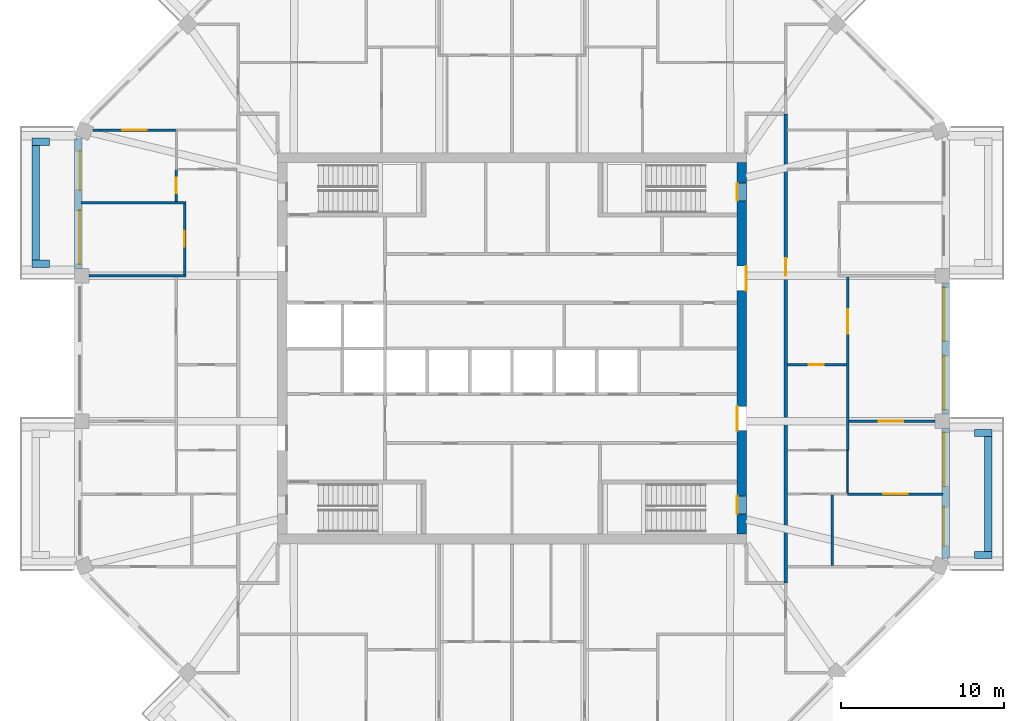
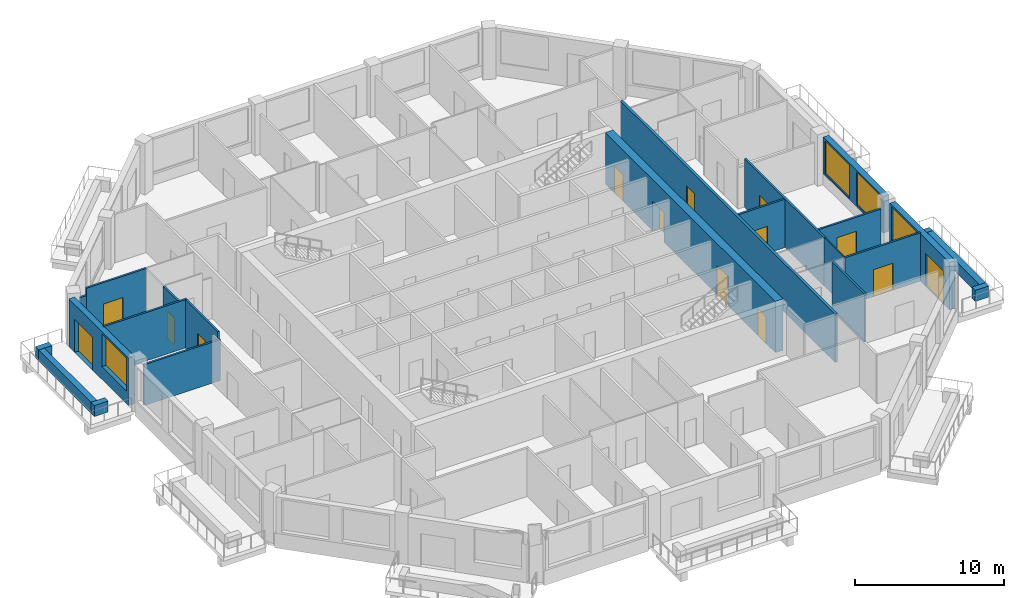
# One storey, part 6 of 12: 23 walls, 14 doors, 4 windows, 18 openings.
"""IFC4 building model written with IfcOpenShell, lengths in metres."""

from ifc_helpers import new_model, si_unit, direction, frame, frame_2d, origin, place, context, subcontext, project, spatial, rectangle, extrude, material, layer, layer_set, type_object, element, fill, save


model = new_model("IFC4")

# Units and contexts
model_context = context("Model", 3, precision=1e-05, world=origin(), true_north=direction((0.0, 1.0)))
body_context = subcontext(model_context, "Body", "Model", "MODEL_VIEW")
ifc_project = project(units=[si_unit("LENGTHUNIT", "METRE"), si_unit("AREAUNIT", "SQUARE_METRE"), si_unit("VOLUMEUNIT", "CUBIC_METRE"), si_unit("PLANEANGLEUNIT", "RADIAN"), si_unit("MASSUNIT", "GRAM", prefix="KILO")], contexts=[model_context])

# Site, building, storey
site_placement = place(None, origin())
site = spatial("IfcSite", under=ifc_project, at=site_placement, CompositionType="ELEMENT")
building_placement = place(site_placement, origin())
building = spatial("IfcBuilding", under=site, at=building_placement, Name="Msitu Wima Residences", CompositionType="ELEMENT")
storey_placement = place(building_placement, frame((0.0, 0.0, 239.10009765625)))
storey = spatial("IfcBuildingStorey", under=building, at=storey_placement, Name="L55", CompositionType="ELEMENT", Elevation=239.10009765625)

# Walls
ifc_material_1 = material(Name="Facing brick")
ifc_layer_1 = layer(ifc_material_1, 0.06494140625, Name="Facing brick")
ifc_material_2 = material(Name="Concrete C40/50", Category="concrete")
ifc_layer_2 = layer(ifc_material_2, 0.156005859375, Name="Concrete C40/50")
ifc_material_3 = material(Name="Waterproofing membrane")
ifc_layer_3 = layer(ifc_material_3, 0.00390625, Name="Waterproofing membrane")
ifc_material_4 = material(Name="Planting soil and planting")
ifc_layer_4 = layer(ifc_material_4, 0.22509765625, Name="Planting soil and planting")
ifc_layer_set_1 = layer_set([ifc_layer_1, ifc_layer_2, ifc_layer_3, ifc_layer_4], Name="Concrete C40/50")
wall_type_1 = type_object("IfcWallType", Name="Balcony planter PLANTER PL450", PredefinedType="USERDEFINED", material=ifc_layer_set_1)
wall_1_placement = place(storey_placement, frame((29.22509765625, -12.455810546875, 0.0), z_axis=(0.0, 0.0, 1.0), x_axis=(0.0, 1.0, 0.0)))
element("IfcWall", 1, at=wall_1_placement, inside=storey, type_object=wall_type_1, Name="Balcony planter E0 L55", ObjectType="PLANTER", PredefinedType="USERDEFINED", context=body_context, shape_type="SweptSolid", body=[
    extrude(rectangle(XDim=7.037109375, YDim=0.449951171875, at=frame_2d((3.5185546875, 0.0))), origin(), (0.0, 0.0, 1.0), 0.89990234375),
])
for number, where, z_axis, x_axis, name in (
    (2, (28.39990234375, -12.680908203125, 0.0), (0.0, 0.0, 1.0), (1.0, 0.0, 0.0), "Balcony planter E0 L55"),
    (3, (28.39990234375, -5.193603515625, 0.0), (0.0, 0.0, 1.0), (1.0, 0.0, 0.0), "Balcony planter E0 L55"),
):
    element("IfcWall", number, at=place(storey_placement, frame(where, z_axis=z_axis, x_axis=x_axis)), inside=storey, type_object=wall_type_1, Name=name, ObjectType="PLANTER", PredefinedType="USERDEFINED", context=body_context, shape_type="SweptSolid", body=[
        extrude(rectangle(XDim=1.050048828125, YDim=0.449951171875, at=frame_2d((0.52490234375, 0.0))), origin(), (0.0, 0.0, 1.0), 0.89990234375),
    ])
wall_2_placement = place(storey_placement, frame((-29.22509765625, 12.455810546875, 0.0), z_axis=(0.0, 0.0, 1.0), x_axis=(0.0, -1.0, 0.0)))
element("IfcWall", 4, at=wall_2_placement, inside=storey, type_object=wall_type_1, Name="Balcony planter W0 L55", ObjectType="PLANTER", PredefinedType="USERDEFINED", context=body_context, shape_type="SweptSolid", body=[
    extrude(rectangle(XDim=7.037109375, YDim=0.449951171875, at=frame_2d((3.5185546875, 0.0))), origin(), (0.0, 0.0, 1.0), 0.89990234375),
])
for number, where, z_axis, x_axis, name in (
    (5, (-28.39990234375, 12.680908203125, 0.0), (0.0, 0.0, 1.0), (-1.0, 0.0, 0.0), "Balcony planter W0 L55"),
    (6, (-28.39990234375, 5.193603515625, 0.0), (0.0, 0.0, 1.0), (-1.0, 0.0, 0.0), "Balcony planter W0 L55"),
):
    element("IfcWall", number, at=place(storey_placement, frame(where, z_axis=z_axis, x_axis=x_axis)), inside=storey, type_object=wall_type_1, Name=name, ObjectType="PLANTER", PredefinedType="USERDEFINED", context=body_context, shape_type="SweptSolid", body=[
        extrude(rectangle(XDim=1.050048828125, YDim=0.449951171875, at=frame_2d((0.52490234375, 0.0))), origin(), (0.0, 0.0, 1.0), 0.89990234375),
    ])

# Wall, openings, door, window
ifc_material_5 = material(Name="Brick (red buff mix)", Category="masonry")
ifc_layer_5 = layer(ifc_material_5, 0.449951171875)
ifc_layer_set_2 = layer_set([ifc_layer_5], Name="Brick (red buff mix)")
wall_type_2 = type_object("IfcWallType", Name="Brick infill wall BW450", PredefinedType="SOLIDWALL", material=ifc_layer_set_2)
wall_3_placement = place(storey_placement, frame((26.625, -12.918701171875, 0.0), z_axis=(0.0, 0.0, 1.0), x_axis=(0.0, 1.0, 0.0)))
wall_3 = element("IfcWall", 7, at=wall_3_placement, inside=storey, type_object=wall_type_2, Name="Brick infill wall L55 E0", PredefinedType="SOLIDWALL", context=body_context, shape_type="SweptSolid", body=[
    extrude(rectangle(XDim=8.0, YDim=0.449951171875, at=frame_2d((4.0, 0.0))), origin(), (0.0, 0.0, 1.0), 3.89990234375),
])
opening_1_placement = place(wall_3_placement, frame((0.800048828125, 0.0, 0.0)))
opening_1 = element("IfcOpeningElement", 8, at=opening_1_placement, cuts=wall_3, Name="Opening D55-56.001", PredefinedType="OPENING", context=body_context, shape_type="SweptSolid", body=[
    extrude(rectangle(XDim=2.39990234375, YDim=2.699951171875, at=frame_2d((1.199951171875, 1.35009765625))), frame((0.0, 0.23486328125, 0.0), z_axis=(0.0, -1.0, 0.0), x_axis=(1.0, 0.0, 0.0)), (0.0, 0.0, 1.0), 0.469970703125),
])
opening_2_placement = place(wall_3_placement, frame((4.4501953125, 0.0, 1.050048828125)))
opening_2 = element("IfcOpeningElement", 9, at=opening_2_placement, cuts=wall_3, Name="Opening W55-56.001", PredefinedType="OPENING", context=body_context, shape_type="SweptSolid", body=[
    extrude(rectangle(XDim=3.300048828125, YDim=2.699951171875, at=frame_2d((1.64990234375, 1.35009765625))), frame((0.0, 0.23486328125, 0.0), z_axis=(0.0, -1.0, 0.0), x_axis=(1.0, 0.0, 0.0)), (0.0, 0.0, 1.0), 0.469970703125),
])
ifc_material_6 = material(Name="Anodised aluminium, bronze finish, clear low-emissivity double glazing", Category="aluminium")
door_type_1 = type_object("IfcDoorType", Name="Balcony door D2400x2700", OperationType="SLIDING_TO_LEFT", PredefinedType="DOOR", material=ifc_material_6)
door_1_placement = place(opening_1_placement, origin())
door_1 = element("IfcDoor", 10, at=door_1_placement, inside=storey, type_object=door_type_1, Name="Balcony door L55 E0", OperationType="SINGLE_SWING_LEFT", OverallHeight=2.699951171875, OverallWidth=2.39990234375, PredefinedType="DOOR", context=body_context, shape_type="SweptSolid", body=[
    extrude(rectangle(XDim=2.39990234375, YDim=2.699951171875, at=frame_2d((1.199951171875, 1.35009765625))), frame((0.0, 0.1298828125, 0.0), z_axis=(0.0, -1.0, 0.0), x_axis=(1.0, 0.0, 0.0)), (0.0, 0.0, 1.0), 0.050048828125),
])
fill(opening_1, door_1)
window_type = type_object("IfcWindowType", Name="Window W3300x2700", PartitioningType="DOUBLE_PANEL_VERTICAL", PredefinedType="WINDOW", material=ifc_material_6)
window_1_placement = place(opening_2_placement, origin())
window_1 = element("IfcWindow", 11, at=window_1_placement, inside=storey, type_object=window_type, Name="Window L55 E0.2", OverallHeight=2.699951171875, OverallWidth=3.300048828125, PartitioningType="SINGLE_PANEL", PredefinedType="WINDOW", context=body_context, shape_type="SweptSolid", body=[
    extrude(rectangle(XDim=3.300048828125, YDim=2.699951171875, at=frame_2d((1.64990234375, 1.35009765625))), frame((0.0, 0.135009765625, 0.0), z_axis=(0.0, -1.0, 0.0), x_axis=(1.0, 0.0, 0.0)), (0.0, 0.0, 1.0), 0.06005859375),
])
fill(opening_2, window_1)

# Wall, openings, windows
wall_4_placement = place(storey_placement, frame((26.625, -4.0185546875, 0.89990234375), z_axis=(0.0, 0.0, 1.0), x_axis=(0.0, 1.0, 0.0)))
wall_4 = element("IfcWall", 12, at=wall_4_placement, inside=storey, type_object=wall_type_2, Name="Brick infill wall L55 E1", PredefinedType="SOLIDWALL", context=body_context, shape_type="SweptSolid", body=[
    extrude(rectangle(XDim=8.037109375, YDim=0.449951171875, at=frame_2d((4.0185546875, 0.0))), origin(), (0.0, 0.0, 1.0), 3.0),
])
opening_3_placement = place(wall_4_placement, frame((0.2685546875, 0.0, 0.14990234375)))
opening_3 = element("IfcOpeningElement", 13, at=opening_3_placement, cuts=wall_4, Name="Opening W55-56.002", PredefinedType="OPENING", context=body_context, shape_type="SweptSolid", body=[
    extrude(rectangle(XDim=3.300048828125, YDim=2.699951171875, at=frame_2d((1.64990234375, 1.35009765625))), frame((0.0, 0.23486328125, 0.0), z_axis=(0.0, -1.0, 0.0), x_axis=(1.0, 0.0, 0.0)), (0.0, 0.0, 1.0), 0.469970703125),
])
opening_4_placement = place(wall_4_placement, frame((4.46875, 0.0, 0.14990234375)))
opening_4 = element("IfcOpeningElement", 14, at=opening_4_placement, cuts=wall_4, Name="Opening W55-56.003", PredefinedType="OPENING", context=body_context, shape_type="SweptSolid", body=[
    extrude(rectangle(XDim=3.300048828125, YDim=2.699951171875, at=frame_2d((1.64990234375, 1.35009765625))), frame((0.0, 0.23486328125, 0.0), z_axis=(0.0, -1.0, 0.0), x_axis=(1.0, 0.0, 0.0)), (0.0, 0.0, 1.0), 0.469970703125),
])
window_2_placement = place(opening_3_placement, origin())
window_2 = element("IfcWindow", 15, at=window_2_placement, inside=storey, type_object=window_type, Name="Window L55 E1.1", OverallHeight=2.699951171875, OverallWidth=3.300048828125, PartitioningType="SINGLE_PANEL", PredefinedType="WINDOW", context=body_context, shape_type="SweptSolid", body=[
    extrude(rectangle(XDim=3.300048828125, YDim=2.699951171875, at=frame_2d((1.64990234375, 1.35009765625))), frame((0.0, 0.135009765625, 0.0), z_axis=(0.0, -1.0, 0.0), x_axis=(1.0, 0.0, 0.0)), (0.0, 0.0, 1.0), 0.06005859375),
])
fill(opening_3, window_2)
window_3_placement = place(opening_4_placement, origin())
window_3 = element("IfcWindow", 16, at=window_3_placement, inside=storey, type_object=window_type, Name="Window L55 E1.2", OverallHeight=2.699951171875, OverallWidth=3.300048828125, PartitioningType="SINGLE_PANEL", PredefinedType="WINDOW", context=body_context, shape_type="SweptSolid", body=[
    extrude(rectangle(XDim=3.300048828125, YDim=2.699951171875, at=frame_2d((1.64990234375, 1.35009765625))), frame((0.0, 0.135009765625, 0.0), z_axis=(0.0, -1.0, 0.0), x_axis=(1.0, 0.0, 0.0)), (0.0, 0.0, 1.0), 0.06005859375),
])
fill(opening_4, window_3)

# Wall, openings, door, window
wall_5_placement = place(storey_placement, frame((-26.625, 12.918701171875, 0.0), z_axis=(0.0, 0.0, 1.0), x_axis=(0.0, -1.0, 0.0)))
wall_5 = element("IfcWall", 17, at=wall_5_placement, inside=storey, type_object=wall_type_2, Name="Brick infill wall L55 W0", PredefinedType="SOLIDWALL", context=body_context, shape_type="SweptSolid", body=[
    extrude(rectangle(XDim=8.0, YDim=0.449951171875, at=frame_2d((4.0, 0.0))), origin(), (0.0, 0.0, 1.0), 3.89990234375),
])
opening_5_placement = place(wall_5_placement, frame((0.800048828125, 0.0, 0.0)))
opening_5 = element("IfcOpeningElement", 18, at=opening_5_placement, cuts=wall_5, Name="Opening D55-56.009", PredefinedType="OPENING", context=body_context, shape_type="SweptSolid", body=[
    extrude(rectangle(XDim=2.39990234375, YDim=2.699951171875, at=frame_2d((1.199951171875, 1.35009765625))), frame((0.0, 0.23486328125, 0.0), z_axis=(0.0, -1.0, 0.0), x_axis=(1.0, 0.0, 0.0)), (0.0, 0.0, 1.0), 0.469970703125),
])
opening_6_placement = place(wall_5_placement, frame((4.4501953125, 0.0, 1.050048828125)))
opening_6 = element("IfcOpeningElement", 19, at=opening_6_placement, cuts=wall_5, Name="Opening W55-56.027", PredefinedType="OPENING", context=body_context, shape_type="SweptSolid", body=[
    extrude(rectangle(XDim=3.300048828125, YDim=2.699951171875, at=frame_2d((1.64990234375, 1.35009765625))), frame((0.0, 0.23486328125, 0.0), z_axis=(0.0, -1.0, 0.0), x_axis=(1.0, 0.0, 0.0)), (0.0, 0.0, 1.0), 0.469970703125),
])
door_2_placement = place(opening_5_placement, origin())
door_2 = element("IfcDoor", 20, at=door_2_placement, inside=storey, type_object=door_type_1, Name="Balcony door L55 W0", OperationType="SINGLE_SWING_LEFT", OverallHeight=2.699951171875, OverallWidth=2.39990234375, PredefinedType="DOOR", context=body_context, shape_type="SweptSolid", body=[
    extrude(rectangle(XDim=2.39990234375, YDim=2.699951171875, at=frame_2d((1.199951171875, 1.35009765625))), frame((0.0, 0.1298828125, 0.0), z_axis=(0.0, -1.0, 0.0), x_axis=(1.0, 0.0, 0.0)), (0.0, 0.0, 1.0), 0.050048828125),
])
fill(opening_5, door_2)
window_4_placement = place(opening_6_placement, origin())
window_4 = element("IfcWindow", 21, at=window_4_placement, inside=storey, type_object=window_type, Name="Window L55 W0.2", OverallHeight=2.699951171875, OverallWidth=3.300048828125, PartitioningType="SINGLE_PANEL", PredefinedType="WINDOW", context=body_context, shape_type="SweptSolid", body=[
    extrude(rectangle(XDim=3.300048828125, YDim=2.699951171875, at=frame_2d((1.64990234375, 1.35009765625))), frame((0.0, 0.135009765625, 0.0), z_axis=(0.0, -1.0, 0.0), x_axis=(1.0, 0.0, 0.0)), (0.0, 0.0, 1.0), 0.06005859375),
])
fill(opening_6, window_4)

# Wall, openings, doors
ifc_material_7 = material(Name="Concrete C50/60", Category="concrete")
ifc_layer_6 = layer(ifc_material_7, 0.60009765625)
ifc_layer_set_3 = layer_set([ifc_layer_6], Name="Concrete C50/60")
wall_type_3 = type_object("IfcWallType", Name="Core wall CW600 C50/60", PredefinedType="SHEAR", material=ifc_layer_set_3)
wall_6_placement = place(storey_placement, frame((14.10009765625, -11.39990234375, 0.0), z_axis=(0.0, 0.0, 1.0), x_axis=(0.0, 1.0, 0.0)))
wall_6 = element("IfcWall", 22, at=wall_6_placement, inside=storey, type_object=wall_type_3, Name="Core wall", PredefinedType="SHEAR", context=body_context, shape_type="SweptSolid", body=[
    extrude(rectangle(XDim=22.7998046875, YDim=0.60009765625, at=frame_2d((11.39990234375, 0.0))), origin(), (0.0, 0.0, 1.0), 4.199951171875),
])
opening_7_placement = place(wall_6_placement, frame((20.449951171875, 0.0, 0.0)))
opening_7 = element("IfcOpeningElement", 23, at=opening_7_placement, cuts=wall_6, Name="Opening D55-56.081", PredefinedType="OPENING", context=body_context, shape_type="SweptSolid", body=[
    extrude(rectangle(XDim=1.10009765625, YDim=2.199951171875, at=frame_2d((0.550048828125, 1.10009765625))), frame((0.0, 0.31005859375, 0.0), z_axis=(0.0, -1.0, 0.0), x_axis=(1.0, 0.0, 0.0)), (0.0, 0.0, 1.0), 0.6201171875),
])
opening_8_placement = place(wall_6_placement, frame((1.25, 0.0, 0.0)))
opening_8 = element("IfcOpeningElement", 24, at=opening_8_placement, cuts=wall_6, Name="Opening D55-56.082", PredefinedType="OPENING", context=body_context, shape_type="SweptSolid", body=[
    extrude(rectangle(XDim=1.10009765625, YDim=2.199951171875, at=frame_2d((0.550048828125, 1.10009765625))), frame((0.0, 0.31005859375, 0.0), z_axis=(0.0, -1.0, 0.0), x_axis=(1.0, 0.0, 0.0)), (0.0, 0.0, 1.0), 0.6201171875),
])
opening_9_placement = place(wall_6_placement, frame((14.949951171875, 0.0, 0.0)))
opening_9 = element("IfcOpeningElement", 25, at=opening_9_placement, cuts=wall_6, Name="Opening D55-56.071", PredefinedType="OPENING", context=body_context, shape_type="SweptSolid", body=[
    extrude(rectangle(XDim=1.5, YDim=2.39990234375, at=frame_2d((0.75, 1.199951171875))), frame((0.0, 0.31005859375, 0.0), z_axis=(0.0, -1.0, 0.0), x_axis=(1.0, 0.0, 0.0)), (0.0, 0.0, 1.0), 0.6201171875),
])
opening_10_placement = place(wall_6_placement, frame((6.35009765625, 0.0, 0.0)))
opening_10 = element("IfcOpeningElement", 26, at=opening_10_placement, cuts=wall_6, Name="Opening D55-56.072", PredefinedType="OPENING", context=body_context, shape_type="SweptSolid", body=[
    extrude(rectangle(XDim=1.5, YDim=2.39990234375, at=frame_2d((0.75, 1.199951171875))), frame((0.0, 0.31005859375, 0.0), z_axis=(0.0, -1.0, 0.0), x_axis=(1.0, 0.0, 0.0)), (0.0, 0.0, 1.0), 0.6201171875),
])
ifc_material_8 = material(Name="Steel framed glazed door, fire resisting", Category="steel")
door_type_2 = type_object("IfcDoorType", Name="Lobby door D07 1500x2400", OperationType="DOUBLE_DOOR_SINGLE_SWING", PredefinedType="DOOR", material=ifc_material_8)
door_3_placement = place(opening_9_placement, origin())
door_3 = element("IfcDoor", 27, at=door_3_placement, inside=storey, type_object=door_type_2, Name="Lobby door", OperationType="DOUBLE_DOOR_SINGLE_SWING", OverallHeight=2.39990234375, OverallWidth=1.5, PredefinedType="DOOR", context=body_context, shape_type="SweptSolid", body=[
    extrude(rectangle(XDim=1.5, YDim=2.39990234375, at=frame_2d((0.75, 1.199951171875))), frame((0.0, -0.2451171875, 0.0), z_axis=(0.0, -1.0, 0.0), x_axis=(1.0, 0.0, 0.0)), (0.0, 0.0, 1.0), 0.050048828125),
])
fill(opening_9, door_3)
door_4_placement = place(opening_10_placement, origin())
door_4 = element("IfcDoor", 28, at=door_4_placement, inside=storey, type_object=door_type_2, Name="Lobby door", OperationType="DOUBLE_DOOR_SINGLE_SWING", OverallHeight=2.39990234375, OverallWidth=1.5, PredefinedType="DOOR", context=body_context, shape_type="SweptSolid", body=[
    extrude(rectangle(XDim=1.5, YDim=2.39990234375, at=frame_2d((0.75, 1.199951171875))), frame((0.0, 0.294921875, 0.0), z_axis=(0.0, -1.0, 0.0), x_axis=(1.0, 0.0, 0.0)), (0.0, 0.0, 1.0), 0.050048828125),
])
fill(opening_10, door_4)
ifc_material_9 = material(Name="Steel door, fire resisting, panic bar", Category="steel")
door_type_3 = type_object("IfcDoorType", Name="Stair door D06 1100x2200", OperationType="SINGLE_SWING_LEFT", PredefinedType="DOOR", material=ifc_material_9)
door_5_placement = place(opening_7_placement, origin())
door_5 = element("IfcDoor", 29, at=door_5_placement, inside=storey, type_object=door_type_3, Name="Stair door", OperationType="SINGLE_SWING_LEFT", OverallHeight=2.199951171875, OverallWidth=1.10009765625, PredefinedType="DOOR", context=body_context, shape_type="SweptSolid", body=[
    extrude(rectangle(XDim=1.10009765625, YDim=2.199951171875, at=frame_2d((0.550048828125, 1.10009765625))), frame((0.0, 0.294921875, 0.0), z_axis=(0.0, -1.0, 0.0), x_axis=(1.0, 0.0, 0.0)), (0.0, 0.0, 1.0), 0.050048828125),
])
fill(opening_7, door_5)
door_6_placement = place(opening_8_placement, origin())
door_6 = element("IfcDoor", 30, at=door_6_placement, inside=storey, type_object=door_type_3, Name="Stair door", OperationType="SINGLE_SWING_RIGHT", OverallHeight=2.199951171875, OverallWidth=1.10009765625, PredefinedType="DOOR", context=body_context, shape_type="SweptSolid", body=[
    extrude(rectangle(XDim=1.10009765625, YDim=2.199951171875, at=frame_2d((0.550048828125, 1.10009765625))), frame((0.0, 0.294921875, 0.0), z_axis=(0.0, -1.0, 0.0), x_axis=(1.0, 0.0, 0.0)), (0.0, 0.0, 1.0), 0.050048828125),
])
fill(opening_8, door_6)

# Wall, opening, door
ifc_material_10 = material(Name="Plaster")
ifc_layer_7 = layer(ifc_material_10, 0.011962890625, Name="Plaster")
ifc_material_11 = material(Name="Concrete blockwork", Category="masonry")
ifc_layer_8 = layer(ifc_material_11, 0.176025390625, Name="Concrete blockwork")
ifc_layer_9 = layer(ifc_material_10, 0.011962890625, Name="Plaster")
ifc_layer_set_4 = layer_set([ifc_layer_7, ifc_layer_8, ifc_layer_9], Name="Concrete blockwork")
wall_type_4 = type_object("IfcWallType", Name="Corridor wall FW200", PredefinedType="PARTITIONING", material=ifc_layer_set_4)
wall_7_placement = place(storey_placement, frame((16.800048828125, -14.39990234375, 0.0), z_axis=(0.0, 0.0, 1.0), x_axis=(0.0, 1.0, 0.0)))
wall_7 = element("IfcWall", 31, at=wall_7_placement, inside=storey, type_object=wall_type_4, Name="Corridor wall", PredefinedType="PARTITIONING", context=body_context, shape_type="SweptSolid", body=[
    extrude(rectangle(XDim=28.7998046875, YDim=0.199951171875, at=frame_2d((14.39990234375, 0.0))), origin(), (0.0, 0.0, 1.0), 3.949951171875),
])
opening_11_placement = place(wall_7_placement, frame((18.85009765625, 0.0, 0.0)))
opening_11 = element("IfcOpeningElement", 32, at=opening_11_placement, cuts=wall_7, Name="Opening D55-56.011", PredefinedType="OPENING", context=body_context, shape_type="SweptSolid", body=[
    extrude(rectangle(XDim=1.10009765625, YDim=2.39990234375, at=frame_2d((0.550048828125, 1.199951171875))), frame((0.0, 0.10986328125, 0.0), z_axis=(0.0, -1.0, 0.0), x_axis=(1.0, 0.0, 0.0)), (0.0, 0.0, 1.0), 0.219970703125),
])
ifc_material_12 = material(Name="Timber flush door, fire resisting, self-closing", Category="wood")
door_type_4 = type_object("IfcDoorType", Name="Flat entrance door D01 1100x2400", OperationType="SINGLE_SWING_LEFT", PredefinedType="DOOR", material=ifc_material_12)
door_7_placement = place(opening_11_placement, origin())
door_7 = element("IfcDoor", 33, at=door_7_placement, inside=storey, type_object=door_type_4, Name="Flat entrance door", OperationType="SINGLE_SWING_LEFT", OverallHeight=2.39990234375, OverallWidth=1.10009765625, PredefinedType="DOOR", context=body_context, shape_type="SweptSolid", body=[
    extrude(rectangle(XDim=1.10009765625, YDim=2.39990234375, at=frame_2d((0.550048828125, 1.199951171875))), frame((0.0, 0.02490234375, 0.0), z_axis=(0.0, -1.0, 0.0), x_axis=(1.0, 0.0, 0.0)), (0.0, 0.0, 1.0), 0.050048828125),
])
fill(opening_11, door_7)

# Walls
ifc_layer_10 = layer(ifc_material_10, 0.011962890625, Name="Plaster")
ifc_layer_11 = layer(ifc_material_11, 0.1259765625, Name="Concrete blockwork")
ifc_layer_12 = layer(ifc_material_10, 0.011962890625, Name="Plaster")
ifc_layer_set_5 = layer_set([ifc_layer_10, ifc_layer_11, ifc_layer_12], Name="Concrete blockwork")
wall_type_5 = type_object("IfcWallType", Name="Partition PW150", PredefinedType="PARTITIONING", material=ifc_layer_set_5)
wall_8_placement = place(storey_placement, frame((-25.949951171875, 4.46875, 0.0), z_axis=(0.0, 0.0, 1.0), x_axis=(1.0, 0.0, 0.0)))
element("IfcWall", 34, at=wall_8_placement, inside=storey, type_object=wall_type_5, Name="Partition", PredefinedType="PARTITIONING", context=body_context, shape_type="SweptSolid", body=[
    extrude(rectangle(XDim=5.925048828125, YDim=0.14990234375, at=frame_2d((2.96240234375, 0.0))), origin(), (0.0, 0.0, 1.0), 3.349853515625),
])
wall_9_placement = place(storey_placement, frame((-26.455078125, 8.937255859375, 0.0), z_axis=(0.0, 0.0, 1.0), x_axis=(1.0, 0.0, 0.0)))
element("IfcWall", 35, at=wall_9_placement, inside=storey, type_object=wall_type_5, Name="Partition", PredefinedType="PARTITIONING", context=body_context, shape_type="SweptSolid", body=[
    extrude(rectangle(XDim=6.43017578125, YDim=0.14990234375, at=frame_2d((3.215087890625, 0.0))), origin(), (0.0, 0.0, 1.0), 3.949951171875),
])
wall_10_placement = place(storey_placement, frame((-25.731201171875, 13.406005859375, 0.0), z_axis=(0.0, 0.0, 1.0), x_axis=(1.0, 0.0, 0.0)))
element("IfcWall", 36, at=wall_10_placement, inside=storey, type_object=wall_type_5, Name="Partition", PredefinedType="PARTITIONING", context=body_context, shape_type="SweptSolid", body=[
    extrude(rectangle(XDim=0.507080078125, YDim=0.14990234375, at=frame_2d((0.25341796875, 0.0))), origin(), (0.0, 0.0, 1.0), 3.349853515625),
])

# Wall, opening, door
wall_11_placement = place(storey_placement, frame((-25.22412109375, 13.406005859375, 0.0), z_axis=(0.0, 0.0, 1.0), x_axis=(1.0, 0.0, 0.0)))
wall_11 = element("IfcWall", 37, at=wall_11_placement, inside=storey, type_object=wall_type_5, Name="Partition", PredefinedType="PARTITIONING", context=body_context, shape_type="SweptSolid", body=[
    extrude(rectangle(XDim=4.6240234375, YDim=0.14990234375, at=frame_2d((2.31201171875, 0.0))), origin(), (0.0, 0.0, 1.0), 3.949951171875),
])
opening_12_placement = place(wall_11_placement, frame((1.29296875, 0.0, 0.0)))
opening_12 = element("IfcOpeningElement", 38, at=opening_12_placement, cuts=wall_11, Name="Opening D55-56.055", PredefinedType="OPENING", context=body_context, shape_type="SweptSolid", body=[
    extrude(rectangle(XDim=1.5, YDim=2.199951171875, at=frame_2d((0.75, 1.10009765625))), frame((0.0, 0.0849609375, 0.0), z_axis=(0.0, -1.0, 0.0), x_axis=(1.0, 0.0, 0.0)), (0.0, 0.0, 1.0), 0.169921875),
])
ifc_material_13 = material(Name="Timber double door", Category="wood")
door_type_5 = type_object("IfcDoorType", Name="Double door D04 1500x2200", OperationType="DOUBLE_DOOR_SINGLE_SWING", PredefinedType="DOOR", material=ifc_material_13)
door_8_placement = place(opening_12_placement, origin())
door_8 = element("IfcDoor", 39, at=door_8_placement, inside=storey, type_object=door_type_5, Name="Double door", OperationType="DOUBLE_DOOR_SINGLE_SWING", OverallHeight=2.199951171875, OverallWidth=1.5, PredefinedType="DOOR", context=body_context, shape_type="SweptSolid", body=[
    extrude(rectangle(XDim=1.5, YDim=2.199951171875, at=frame_2d((0.75, 1.10009765625))), frame((0.0, 0.02490234375, 0.0), z_axis=(0.0, -1.0, 0.0), x_axis=(1.0, 0.0, 0.0)), (0.0, 0.0, 1.0), 0.050048828125),
])
fill(opening_12, door_8)

wall_12_placement = place(storey_placement, frame((-20.60009765625, 9.01220703125, 0.0), z_axis=(0.0, 0.0, 1.0), x_axis=(0.0, 1.0, 0.0)))
wall_12 = element("IfcWall", 40, at=wall_12_placement, inside=storey, type_object=wall_type_5, Name="Partition", PredefinedType="PARTITIONING", context=body_context, shape_type="SweptSolid", body=[
    extrude(rectangle(XDim=1.9677734375, YDim=0.14990234375, at=frame_2d((0.98388671875, 0.0))), origin(), (0.0, 0.0, 1.0), 3.949951171875),
])
opening_13_placement = place(wall_12_placement, frame((0.5, 0.0, 0.0)))
opening_13 = element("IfcOpeningElement", 41, at=opening_13_placement, cuts=wall_12, Name="Opening D55-56.054", PredefinedType="OPENING", context=body_context, shape_type="SweptSolid", body=[
    extrude(rectangle(XDim=0.949951171875, YDim=2.199951171875, at=frame_2d((0.47509765625, 1.10009765625))), frame((0.0, 0.0849609375, 0.0), z_axis=(0.0, -1.0, 0.0), x_axis=(1.0, 0.0, 0.0)), (0.0, 0.0, 1.0), 0.169921875),
])
ifc_material_14 = material(Name="Timber flush door", Category="wood")
door_type_6 = type_object("IfcDoorType", Name="Room door D12 950x2200", OperationType="SINGLE_SWING_LEFT", PredefinedType="DOOR", material=ifc_material_14)
door_9_placement = place(opening_13_placement, origin())
door_9 = element("IfcDoor", 42, at=door_9_placement, inside=storey, type_object=door_type_6, Name="Room door", OperationType="SINGLE_SWING_LEFT", OverallHeight=2.199951171875, OverallWidth=0.949951171875, PredefinedType="DOOR", context=body_context, shape_type="SweptSolid", body=[
    extrude(rectangle(XDim=0.949951171875, YDim=2.199951171875, at=frame_2d((0.47509765625, 1.10009765625))), frame((0.0, 0.02490234375, 0.0), z_axis=(0.0, -1.0, 0.0), x_axis=(1.0, 0.0, 0.0)), (0.0, 0.0, 1.0), 0.050048828125),
])
fill(opening_13, door_9)

wall_13_placement = place(storey_placement, frame((-20.10009765625, 4.543701171875, 0.0), z_axis=(0.0, 0.0, 1.0), x_axis=(0.0, 1.0, 0.0)))
wall_13 = element("IfcWall", 43, at=wall_13_placement, inside=storey, type_object=wall_type_5, Name="Partition", PredefinedType="PARTITIONING", context=body_context, shape_type="SweptSolid", body=[
    extrude(rectangle(XDim=4.318603515625, YDim=0.14990234375, at=frame_2d((2.1591796875, 0.0))), origin(), (0.0, 0.0, 1.0), 3.949951171875),
])
opening_14_placement = place(wall_13_placement, frame((1.699951171875, 0.0, 0.0)))
opening_14 = element("IfcOpeningElement", 44, at=opening_14_placement, cuts=wall_13, Name="Opening D55-56.053", PredefinedType="OPENING", context=body_context, shape_type="SweptSolid", body=[
    extrude(rectangle(XDim=0.949951171875, YDim=2.199951171875, at=frame_2d((0.47509765625, 1.10009765625))), frame((0.0, 0.0849609375, 0.0), z_axis=(0.0, -1.0, 0.0), x_axis=(1.0, 0.0, 0.0)), (0.0, 0.0, 1.0), 0.169921875),
])
door_10_placement = place(opening_14_placement, origin())
door_10 = element("IfcDoor", 45, at=door_10_placement, inside=storey, type_object=door_type_6, Name="Room door", OperationType="SINGLE_SWING_RIGHT", OverallHeight=2.199951171875, OverallWidth=0.949951171875, PredefinedType="DOOR", context=body_context, shape_type="SweptSolid", body=[
    extrude(rectangle(XDim=0.949951171875, YDim=2.199951171875, at=frame_2d((0.47509765625, 1.10009765625))), frame((0.0, 0.02490234375, 0.0), z_axis=(0.0, -1.0, 0.0), x_axis=(1.0, 0.0, 0.0)), (0.0, 0.0, 1.0), 0.050048828125),
])
fill(opening_14, door_10)

wall_14_placement = place(storey_placement, frame((16.89990234375, -1.0, 0.0), z_axis=(0.0, 0.0, 1.0), x_axis=(1.0, 0.0, 0.0)))
wall_14 = element("IfcWall", 46, at=wall_14_placement, inside=storey, type_object=wall_type_5, Name="Partition", PredefinedType="PARTITIONING", context=body_context, shape_type="SweptSolid", body=[
    extrude(rectangle(XDim=3.625, YDim=0.14990234375, at=frame_2d((1.8125, 0.0))), origin(), (0.0, 0.0, 1.0), 3.949951171875),
])
opening_15_placement = place(wall_14_placement, frame((1.300048828125, 0.0, 0.0)))
opening_15 = element("IfcOpeningElement", 47, at=opening_15_placement, cuts=wall_14, Name="Opening D55-56.012", PredefinedType="OPENING", context=body_context, shape_type="SweptSolid", body=[
    extrude(rectangle(XDim=0.949951171875, YDim=2.199951171875, at=frame_2d((0.47509765625, 1.10009765625))), frame((0.0, 0.0849609375, 0.0), z_axis=(0.0, -1.0, 0.0), x_axis=(1.0, 0.0, 0.0)), (0.0, 0.0, 1.0), 0.169921875),
])
door_11_placement = place(opening_15_placement, origin())
door_11 = element("IfcDoor", 48, at=door_11_placement, inside=storey, type_object=door_type_6, Name="Room door", OperationType="SINGLE_SWING_RIGHT", OverallHeight=2.199951171875, OverallWidth=0.949951171875, PredefinedType="DOOR", context=body_context, shape_type="SweptSolid", body=[
    extrude(rectangle(XDim=0.949951171875, YDim=2.199951171875, at=frame_2d((0.47509765625, 1.10009765625))), frame((0.0, 0.02490234375, 0.0), z_axis=(0.0, -1.0, 0.0), x_axis=(1.0, 0.0, 0.0)), (0.0, 0.0, 1.0), 0.050048828125),
])
fill(opening_15, door_11)

# Wall
wall_15_placement = place(storey_placement, frame((19.64990234375, -13.330810546875, 0.0), z_axis=(0.0, 0.0, 1.0), x_axis=(0.0, 1.0, 0.0)))
element("IfcWall", 49, at=wall_15_placement, inside=storey, type_object=wall_type_5, Name="Partition", PredefinedType="PARTITIONING", context=body_context, shape_type="SweptSolid", body=[
    extrude(rectangle(XDim=4.343505859375, YDim=0.14990234375, at=frame_2d((2.171875, 0.0))), origin(), (0.0, 0.0, 1.0), 3.949951171875),
])

# Wall, opening, door
wall_16_placement = place(storey_placement, frame((20.580078125, -8.937255859375, 0.0), z_axis=(0.0, 0.0, 1.0), x_axis=(1.0, 0.0, 0.0)))
wall_16 = element("IfcWall", 50, at=wall_16_placement, inside=storey, type_object=wall_type_5, Name="Partition", PredefinedType="PARTITIONING", context=body_context, shape_type="SweptSolid", body=[
    extrude(rectangle(XDim=5.875, YDim=0.14990234375, at=frame_2d((2.9375, 0.0))), origin(), (0.0, 0.0, 1.0), 3.949951171875),
])
opening_16_placement = place(wall_16_placement, frame((2.199951171875, 0.0, 0.0)))
opening_16 = element("IfcOpeningElement", 51, at=opening_16_placement, cuts=wall_16, Name="Opening D55-56.017", PredefinedType="OPENING", context=body_context, shape_type="SweptSolid", body=[
    extrude(rectangle(XDim=1.5, YDim=2.199951171875, at=frame_2d((0.75, 1.10009765625))), frame((0.0, 0.0849609375, 0.0), z_axis=(0.0, -1.0, 0.0), x_axis=(1.0, 0.0, 0.0)), (0.0, 0.0, 1.0), 0.169921875),
])
door_12_placement = place(opening_16_placement, origin())
door_12 = element("IfcDoor", 52, at=door_12_placement, inside=storey, type_object=door_type_5, Name="Double door", OperationType="DOUBLE_DOOR_SINGLE_SWING", OverallHeight=2.199951171875, OverallWidth=1.5, PredefinedType="DOOR", context=body_context, shape_type="SweptSolid", body=[
    extrude(rectangle(XDim=1.5, YDim=2.199951171875, at=frame_2d((0.75, 1.10009765625))), frame((0.0, 0.02490234375, 0.0), z_axis=(0.0, -1.0, 0.0), x_axis=(1.0, 0.0, 0.0)), (0.0, 0.0, 1.0), 0.050048828125),
])
fill(opening_16, door_12)

wall_17_placement = place(storey_placement, frame((20.60009765625, -6.256103515625, 0.0), z_axis=(0.0, 0.0, 1.0), x_axis=(0.0, 1.0, 0.0)))
wall_17 = element("IfcWall", 53, at=wall_17_placement, inside=storey, type_object=wall_type_5, Name="Partition", PredefinedType="PARTITIONING", context=body_context, shape_type="SweptSolid", body=[
    extrude(rectangle(XDim=10.649658203125, YDim=0.14990234375, at=frame_2d((5.32470703125, 0.0))), origin(), (0.0, 0.0, 1.0), 3.949951171875),
])
opening_17_placement = place(wall_17_placement, frame((7.14990234375, 0.0, 0.0)))
opening_17 = element("IfcOpeningElement", 54, at=opening_17_placement, cuts=wall_17, Name="Opening D55-56.028", PredefinedType="OPENING", context=body_context, shape_type="SweptSolid", body=[
    extrude(rectangle(XDim=1.5, YDim=2.199951171875, at=frame_2d((0.75, 1.10009765625))), frame((0.0, 0.0849609375, 0.0), z_axis=(0.0, -1.0, 0.0), x_axis=(1.0, 0.0, 0.0)), (0.0, 0.0, 1.0), 0.169921875),
])
door_13_placement = place(opening_17_placement, origin())
door_13 = element("IfcDoor", 55, at=door_13_placement, inside=storey, type_object=door_type_5, Name="Double door", OperationType="DOUBLE_DOOR_SINGLE_SWING", OverallHeight=2.199951171875, OverallWidth=1.5, PredefinedType="DOOR", context=body_context, shape_type="SweptSolid", body=[
    extrude(rectangle(XDim=1.5, YDim=2.199951171875, at=frame_2d((0.75, 1.10009765625))), frame((0.0, 0.02490234375, 0.0), z_axis=(0.0, -1.0, 0.0), x_axis=(1.0, 0.0, 0.0)), (0.0, 0.0, 1.0), 0.050048828125),
])
fill(opening_17, door_13)

wall_18_placement = place(storey_placement, frame((20.675048828125, -4.46875, 0.0), z_axis=(0.0, 0.0, 1.0), x_axis=(1.0, 0.0, 0.0)))
wall_18 = element("IfcWall", 56, at=wall_18_placement, inside=storey, type_object=wall_type_5, Name="Partition", PredefinedType="PARTITIONING", context=body_context, shape_type="SweptSolid", body=[
    extrude(rectangle(XDim=5.27490234375, YDim=0.14990234375, at=frame_2d((2.637451171875, 0.0))), origin(), (0.0, 0.0, 1.0), 3.349853515625),
])
opening_18_placement = place(wall_18_placement, frame((1.85009765625, 0.0, 0.0)))
opening_18 = element("IfcOpeningElement", 57, at=opening_18_placement, cuts=wall_18, Name="Opening D55-56.013", PredefinedType="OPENING", context=body_context, shape_type="SweptSolid", body=[
    extrude(rectangle(XDim=1.5, YDim=2.199951171875, at=frame_2d((0.75, 1.10009765625))), frame((0.0, 0.0849609375, 0.0), z_axis=(0.0, -1.0, 0.0), x_axis=(1.0, 0.0, 0.0)), (0.0, 0.0, 1.0), 0.169921875),
])
door_14_placement = place(opening_18_placement, origin())
door_14 = element("IfcDoor", 58, at=door_14_placement, inside=storey, type_object=door_type_5, Name="Double door", OperationType="DOUBLE_DOOR_SINGLE_SWING", OverallHeight=2.199951171875, OverallWidth=1.5, PredefinedType="DOOR", context=body_context, shape_type="SweptSolid", body=[
    extrude(rectangle(XDim=1.5, YDim=2.199951171875, at=frame_2d((0.75, 1.10009765625))), frame((0.0, 0.02490234375, 0.0), z_axis=(0.0, -1.0, 0.0), x_axis=(1.0, 0.0, 0.0)), (0.0, 0.0, 1.0), 0.050048828125),
])
fill(opening_18, door_14)

# Wall
ifc_material_15 = material(Name="Ceramic tiles")
ifc_layer_13 = layer(ifc_material_15, 0.008056640625, Name="Ceramic tiles")
ifc_material_16 = material(Name="Moisture-resistant board")
ifc_layer_14 = layer(ifc_material_16, 0.012451171875, Name="Moisture-resistant board")
ifc_material_17 = material(Name="Light-gauge stud framing with mineral wool")
ifc_layer_15 = layer(ifc_material_17, 0.06689453125, Name="Light-gauge stud framing with mineral wool")
ifc_layer_16 = layer(ifc_material_16, 0.012451171875, Name="Moisture-resistant board")
ifc_layer_set_6 = layer_set([ifc_layer_13, ifc_layer_14, ifc_layer_15, ifc_layer_16], Name="Light-gauge stud framing with mineral wool")
wall_type_6 = type_object("IfcWallType", Name="Wet wall PW100", PredefinedType="PARTITIONING", material=ifc_layer_set_6)
wall_19_placement = place(storey_placement, frame((20.60009765625, -8.8623046875, 0.0), z_axis=(0.0, 0.0, 1.0), x_axis=(0.0, 1.0, 0.0)))
element("IfcWall", 59, at=wall_19_placement, inside=storey, type_object=wall_type_6, Name="Wet wall", PredefinedType="PARTITIONING", context=body_context, shape_type="SweptSolid", body=[
    extrude(rectangle(XDim=2.606201171875, YDim=0.10009765625, at=frame_2d((1.30322265625, 0.0))), origin(), (0.0, 0.0, 1.0), 3.949951171875),
])

save(model, "model.ifc")
